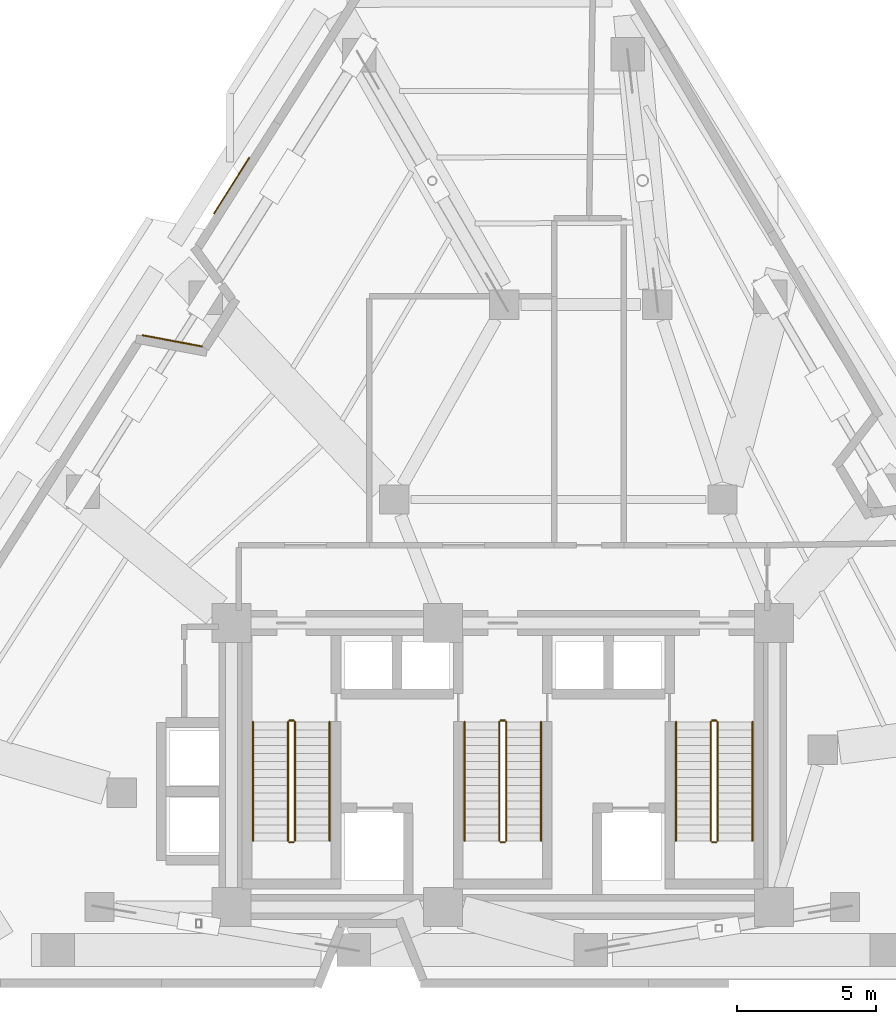
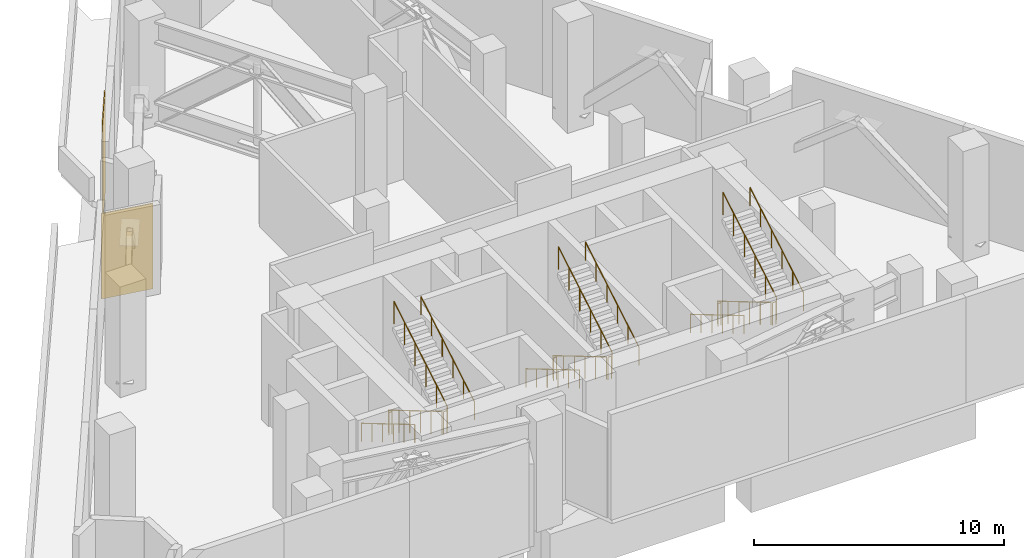
# One storey, part 9 of 9: 18 railings, 2 coverings.
"""IFC4 building model written with IfcOpenShell, lengths in metres."""

import ifcopenshell
import ifcopenshell.guid

model = None  # the IFC model being written
_history = None  # IfcOwnerHistory: only IFC2X3 demands one
_inside = {}  # id of a spatial element -> (the spatial element, [elements in it])
_under = {}  # id of a project, library or spatial element -> (it, [spatial elements below it])
_declared = {}  # id of a project -> (the project, [libraries it declares])
_typed = {}  # id of a type object -> (the type object, [elements of that type])
_made_of = {}  # id of a material, layer set ... -> (it, [elements and type objects made of it])


def new_model(schema):
    """Start an empty IFC model of exactly this schema.

    Asked for "IFC4X3", IfcOpenShell would pick the latest addendum, in which some entities
    have other attributes; the version numbers below select the first issue.
    IFC2X3 requires an IfcOwnerHistory on every rooted entity: one is made here for all.
    """
    global model, _history
    if schema == "IFC4X3":
        model = ifcopenshell.file(schema_version=(4, 3, 0, 0))
    else:
        model = ifcopenshell.file(schema=schema)
    _inside.clear()
    _under.clear()
    _declared.clear()
    _typed.clear()
    _made_of.clear()
    _history = None
    if model.schema == "IFC2X3":
        org = make("IfcOrganization", Name="unknown")
        user = make(
            "IfcPersonAndOrganization",
            ThePerson=make("IfcPerson", FamilyName="unknown"),
            TheOrganization=org,
        )
        app = make(
            "IfcApplication",
            ApplicationDeveloper=org,
            Version="unknown",
            ApplicationFullName="unknown",
            ApplicationIdentifier="unknown",
        )
        _history = make(
            "IfcOwnerHistory",
            OwningUser=user,
            OwningApplication=app,
            ChangeAction="ADDED",
            CreationDate=0,
        )
    return model


def make(cls, **values):
    """One entity of the class cls with the attributes given. An attribute that is None is left unset."""
    return model.create_entity(
        cls, **{name: value for name, value in values.items() if value is not None}
    )


def rooted(cls, **values):
    """An entity with a GlobalId (a new one), such as an element, a storey or a relation."""
    return make(cls, GlobalId=ifcopenshell.guid.new(), OwnerHistory=_history, **values)


def si_unit(unit_type, name, prefix=None):
    """IfcSIUnit, for example si_unit("LENGTHUNIT", "METRE", prefix="MILLI")."""
    return make("IfcSIUnit", UnitType=unit_type, Prefix=prefix, Name=name)


def assignment(units):
    """IfcUnitAssignment: the units of a project."""
    return None if units is None else make("IfcUnitAssignment", Units=units)


def point(xyz):
    """IfcCartesianPoint."""
    return None if xyz is None else make("IfcCartesianPoint", Coordinates=xyz)


def direction(xyz):
    """IfcDirection."""
    return None if xyz is None else make("IfcDirection", DirectionRatios=xyz)


def frame(location, z_axis=None, x_axis=None):
    """IfcAxis2Placement3D, a coordinate frame: its origin and axes. An axis left out is left unset."""
    return make(
        "IfcAxis2Placement3D",
        Location=point(location),
        Axis=direction(z_axis),
        RefDirection=direction(x_axis),
    )


def frame_2d(location, x_axis=None):
    """IfcAxis2Placement2D, a coordinate frame in the plane: its origin and x axis."""
    return make(
        "IfcAxis2Placement2D", Location=point(location), RefDirection=direction(x_axis)
    )


def origin():
    """The frame at (0, 0, 0) with its axes left unset."""
    return frame((0.0, 0.0, 0.0))


def origin_2d():
    """The frame at (0, 0) in the plane with its x axis left unset."""
    return frame_2d((0.0, 0.0))


def place(relative_to, where):
    """IfcLocalPlacement: puts the frame where relative to a parent placement (None: the world)."""
    return make(
        "IfcLocalPlacement", PlacementRelTo=relative_to, RelativePlacement=where
    )


def context(
    kind, dimensions, precision=None, world=None, true_north=None, identifier=None
):
    """IfcGeometricRepresentationContext, for example the 3D "Model" context."""
    return make(
        "IfcGeometricRepresentationContext",
        ContextIdentifier=identifier,
        ContextType=kind,
        CoordinateSpaceDimension=dimensions,
        Precision=precision,
        WorldCoordinateSystem=world,
        TrueNorth=true_north,
    )


def subcontext(parent, identifier, kind, view, scale=None):
    """IfcGeometricRepresentationSubContext, for example "Body" below "Model"."""
    return make(
        "IfcGeometricRepresentationSubContext",
        ContextIdentifier=identifier,
        ContextType=kind,
        ParentContext=parent,
        TargetScale=scale,
        TargetView=view,
    )


def project(units=None, contexts=None):
    """IfcProject with its units and contexts."""
    return rooted(
        "IfcProject",
        Name="project",
        RepresentationContexts=contexts,
        UnitsInContext=assignment(units),
    )


def spatial(cls, under=None, at=None, **own):
    """A site, building, storey or space (cls), placed at a placement, below another one or the project."""
    s = rooted(cls, ObjectPlacement=at, **own)
    if under is not None:
        _under.setdefault(under.id(), (under, []))[1].append(s)
    return s


def profile(cls, at=None, kind="AREA", **sizes):
    """A parametric profile (cls). Its sizes go by their IFC names, for example OverallWidth=200.0."""
    return make(cls, ProfileType=kind, Position=at, **sizes)


def rectangle(**sizes):
    """IfcRectangleProfileDef."""
    return profile("IfcRectangleProfileDef", **sizes)


def circle(**sizes):
    """IfcCircleProfileDef."""
    return profile("IfcCircleProfileDef", **sizes)


def extrude(swept, where, along, depth):
    """IfcExtrudedAreaSolid: the profile swept, set in the frame where, extruded along a direction by depth."""
    return make(
        "IfcExtrudedAreaSolid",
        SweptArea=swept,
        Position=where,
        ExtrudedDirection=direction(along),
        Depth=depth,
    )


def shape(context_of_items, identifier, shape_type, items):
    """IfcShapeRepresentation: the items that make up one representation, for example the "Body"."""
    return make(
        "IfcShapeRepresentation",
        ContextOfItems=context_of_items,
        RepresentationIdentifier=identifier,
        RepresentationType=shape_type,
        Items=items,
    )


def material(Name=None, Category=None):
    """IfcMaterial."""
    return make("IfcMaterial", Name=Name, Category=Category)


def layer(
    of_material, thickness, ventilated=None, Name=None, Category=None, Priority=None
):
    """IfcMaterialLayer: one layer of a wall or slab, of a material (None: an air gap)."""
    return make(
        "IfcMaterialLayer",
        Material=of_material,
        LayerThickness=thickness,
        IsVentilated=ventilated,
        Name=Name,
        Category=Category,
        Priority=Priority,
    )


def layer_set(layers, Name=None):
    """IfcMaterialLayerSet."""
    return make("IfcMaterialLayerSet", MaterialLayers=layers, LayerSetName=Name)


def made_of(thing, what):
    """Note that an element or type object is made of a material, layer set ...; save() writes the relation."""
    if what is not None:
        _made_of.setdefault(what.id(), (what, []))[1].append(thing)
    return thing


def type_object(cls, material=None, **own):
    """A type object (cls), such as IfcWallType, which elements share."""
    return made_of(rooted(cls, **own), material)


def element(
    cls,
    number,
    at=None,
    inside=None,
    cuts=None,
    type_object=None,
    material=None,
    context=None,
    identifier="Body",
    shape_type=None,
    held_by="IfcProductDefinitionShape",
    body=None,
    shapes=None,
    **own,
):
    """One element of the class cls, such as IfcWall. Its Tag is "e" and its number.

    at: its placement. inside: the storey or other place that contains it. cuts: it is an
    opening in that element (IfcRelVoidsElement). A single representation is given by context,
    identifier, shape_type and body (its items); several are given by shapes. held_by: the class
    of the entity that holds the representations. save() writes the other relations.
    """
    e = rooted(cls, Tag="e%d" % number, ObjectPlacement=at, **own)
    if body is not None:
        shapes = [shape(context, identifier, shape_type, body)]
    if shapes is not None:
        e.Representation = make(held_by, Representations=shapes)
    if inside is not None:
        _inside.setdefault(inside.id(), (inside, []))[1].append(e)
    if cuts is not None:
        rooted(
            "IfcRelVoidsElement", RelatingBuildingElement=cuts, RelatedOpeningElement=e
        )
    if type_object is not None:
        _typed.setdefault(type_object.id(), (type_object, []))[1].append(e)
    return made_of(e, material)


def aggregate(whole, parts):
    """IfcRelAggregates: a whole, such as a stair, and the parts it consists of."""
    return rooted("IfcRelAggregates", RelatingObject=whole, RelatedObjects=parts)


def save(model, path):
    """Write the relations noted so far, then the file.

    IfcRelAggregates (storeys below a building ...), IfcRelContainedInSpatialStructure (elements
    in a storey), IfcRelDefinesByType, IfcRelAssociatesMaterial and IfcRelDeclares: one each for
    every whole, place, type object, material and project.
    """
    for whole, parts in _under.values():
        aggregate(whole, parts)
    for where, things in _inside.values():
        rooted(
            "IfcRelContainedInSpatialStructure",
            RelatedElements=things,
            RelatingStructure=where,
        )
    for kind, things in _typed.values():
        rooted("IfcRelDefinesByType", RelatedObjects=things, RelatingType=kind)
    for what, things in _made_of.values():
        rooted("IfcRelAssociatesMaterial", RelatedObjects=things, RelatingMaterial=what)
    for by, libraries in _declared.values():
        rooted("IfcRelDeclares", RelatingContext=by, RelatedDefinitions=libraries)
    model.write(path)


model = new_model("IFC4")

# Units and contexts
model_context = context("Model", 3, precision=1e-05, world=origin(), true_north=direction((0.0, 1.0)))
body_context = subcontext(model_context, "Body", "Model", "MODEL_VIEW")
ifc_project = project(units=[si_unit("LENGTHUNIT", "METRE"), si_unit("AREAUNIT", "SQUARE_METRE"), si_unit("VOLUMEUNIT", "CUBIC_METRE"), si_unit("PLANEANGLEUNIT", "RADIAN"), si_unit("MASSUNIT", "GRAM", prefix="KILO")], contexts=[model_context])

# Site, building, storey
site_placement = place(None, origin())
site = spatial("IfcSite", under=ifc_project, at=site_placement, CompositionType="ELEMENT")
building_placement = place(site_placement, origin())
building = spatial("IfcBuilding", under=site, at=building_placement, Name="Almagre Mirador Tower", CompositionType="ELEMENT")
storey_placement = place(building_placement, frame((0.0, 0.0, 105.0)))
storey = spatial("IfcBuildingStorey", under=building, at=storey_placement, Name="L26", CompositionType="ELEMENT", Elevation=105.0)

# Coverings
ifc_material_1 = material(Name="Almagre terracotta architectural cladding", Category="masonry")
ifc_layer = layer(ifc_material_1, 0.044921875)
ifc_layer_set = layer_set([ifc_layer], Name="Almagre terracotta architectural cladding")
covering_type = type_object("IfcCoveringType", Name="COV-CLAD-ALMAGRE", PredefinedType="CLADDING", material=ifc_layer_set)
covering_1_placement = place(storey_placement, frame((25.41796875, 24.8974609375, 0.10009765625), z_axis=(0.0, 0.0, 1.0), x_axis=(0.982745405197, -0.184963424938, 0.0)))
element("IfcCovering", 1, at=covering_1_placement, inside=storey, type_object=covering_type, Name="L26 almagre terracotta pier cladding", PredefinedType="CLADDING", context=body_context, shape_type="SweptSolid", body=[
    extrude(rectangle(XDim=2.194091796875, YDim=0.044921875, at=origin_2d()), origin(), (0.0, 0.0, 1.0), 4.175048828125),
])
covering_2_placement = place(storey_placement, frame((27.549560546875, 30.4775390625, 0.10009765625), z_axis=(0.0, 0.0, 1.0), x_axis=(0.534912830704, 0.844907251447, 0.0)))
element("IfcCovering", 2, at=covering_2_placement, inside=storey, type_object=covering_type, Name="L26 almagre terracotta pier cladding", PredefinedType="CLADDING", context=body_context, shape_type="SweptSolid", body=[
    extrude(rectangle(XDim=2.39990234375, YDim=0.044921875, at=origin_2d()), origin(), (0.0, 0.0, 1.0), 4.949951171875),
])

# Railings
ifc_material_2 = material(Name="Painted galvanized steel", Category="steel")
railing_type_1 = type_object("IfcRailingType", Name="RLG-GRD-1100", PredefinedType="GUARDRAIL", material=ifc_material_2)
railing_1_placement = place(storey_placement, frame((29.574951171875, 11.199951171875, 0.168701171875)))
element("IfcRailing", 3, at=railing_1_placement, inside=storey, type_object=railing_type_1, Name="L26 ST-1 stair guard 1", PredefinedType="GUARDRAIL", context=body_context, shape_type="SweptSolid", body=[
    extrude(circle(Radius=0.02392578125, at=origin_2d()), frame((0.0, 0.0, 1.09619140625), z_axis=(0.0, -0.860470286479, 0.509500624227), x_axis=(1.0, 0.0, 0.0)), (0.0, 0.0, 1.0), 4.968017578125),
    extrude(circle(Radius=0.02099609375, at=origin_2d()), origin(), (0.0, 0.0, 1.0), 1.072021484375),
    extrude(circle(Radius=0.02099609375, at=origin_2d()), frame((0.0, -0.85498046875, 0.50634765625)), (0.0, 0.0, 1.0), 1.072021484375),
    extrude(circle(Radius=0.02099609375, at=origin_2d()), frame((0.0, -1.7099609375, 1.012451171875)), (0.0, 0.0, 1.0), 1.072021484375),
    extrude(circle(Radius=0.02099609375, at=origin_2d()), frame((0.0, -2.56494140625, 1.518798828125)), (0.0, 0.0, 1.0), 1.072021484375),
    extrude(circle(Radius=0.02099609375, at=origin_2d()), frame((0.0, -3.419921875, 2.02490234375)), (0.0, 0.0, 1.0), 1.072021484375),
    extrude(circle(Radius=0.02099609375, at=origin_2d()), frame((0.0, -4.27490234375, 2.53125)), (0.0, 0.0, 1.0), 1.072021484375),
])
railing_2_placement = place(storey_placement, frame((29.625, 6.875, 2.699951171875)))
element("IfcRailing", 4, at=railing_2_placement, inside=storey, type_object=railing_type_1, Name="L26 ST-1 stair guard 2", PredefinedType="GUARDRAIL", context=body_context, shape_type="SweptSolid", body=[
    extrude(circle(Radius=0.02392578125, at=origin_2d()), frame((0.0, 0.0, 1.09619140625), z_axis=(1.0, 0.0, 0.0), x_axis=(0.0, 1.0, 0.0)), (0.0, 0.0, 1.0), 0.14990234375),
    extrude(circle(Radius=0.02099609375, at=origin_2d()), origin(), (0.0, 0.0, 1.0), 1.072021484375),
    extrude(circle(Radius=0.02099609375, at=origin_2d()), frame((0.14990234375, 0.0, 0.0)), (0.0, 0.0, 1.0), 1.072021484375),
])
railing_3_placement = place(storey_placement, frame((29.824951171875, 6.925048828125, 2.86865234375)))
element("IfcRailing", 5, at=railing_3_placement, inside=storey, type_object=railing_type_1, Name="L26 ST-1 stair guard 3", PredefinedType="GUARDRAIL", context=body_context, shape_type="SweptSolid", body=[
    extrude(circle(Radius=0.02392578125, at=origin_2d()), frame((0.0, 0.0, 1.09619140625), z_axis=(0.0, 0.860470286479, 0.509500624227), x_axis=(-1.0, 0.0, 0.0)), (0.0, 0.0, 1.0), 4.968017578125),
    extrude(circle(Radius=0.02099609375, at=origin_2d()), origin(), (0.0, 0.0, 1.0), 1.072021484375),
    extrude(circle(Radius=0.02099609375, at=origin_2d()), frame((0.0, 0.85498046875, 0.50634765625)), (0.0, 0.0, 1.0), 1.072021484375),
    extrude(circle(Radius=0.02099609375, at=origin_2d()), frame((0.0, 1.7099609375, 1.012451171875)), (0.0, 0.0, 1.0), 1.072021484375),
    extrude(circle(Radius=0.02099609375, at=origin_2d()), frame((0.0, 2.56494140625, 1.518798828125)), (0.0, 0.0, 1.0), 1.072021484375),
    extrude(circle(Radius=0.02099609375, at=origin_2d()), frame((0.0, 3.419921875, 2.02490234375)), (0.0, 0.0, 1.0), 1.072021484375),
    extrude(circle(Radius=0.02099609375, at=origin_2d()), frame((0.0, 4.27490234375, 2.53125)), (0.0, 0.0, 1.0), 1.072021484375),
])
railing_4_placement = place(storey_placement, frame((29.625, 11.25, 0.0)))
element("IfcRailing", 6, at=railing_4_placement, inside=storey, type_object=railing_type_1, Name="L26 ST-1 stair guard 4", PredefinedType="GUARDRAIL", context=body_context, shape_type="SweptSolid", body=[
    extrude(circle(Radius=0.02392578125, at=origin_2d()), frame((0.0, 0.0, 1.09619140625), z_axis=(1.0, 0.0, 0.0), x_axis=(0.0, 1.0, 0.0)), (0.0, 0.0, 1.0), 0.14990234375),
    extrude(circle(Radius=0.02099609375, at=origin_2d()), origin(), (0.0, 0.0, 1.0), 1.072021484375),
    extrude(circle(Radius=0.02099609375, at=origin_2d()), frame((0.14990234375, 0.0, 0.0)), (0.0, 0.0, 1.0), 1.072021484375),
])
railing_5_placement = place(storey_placement, frame((37.175048828125, 11.199951171875, 0.168701171875)))
element("IfcRailing", 7, at=railing_5_placement, inside=storey, type_object=railing_type_1, Name="L26 ST-2 stair guard 1", PredefinedType="GUARDRAIL", context=body_context, shape_type="SweptSolid", body=[
    extrude(circle(Radius=0.02392578125, at=origin_2d()), frame((0.0, 0.0, 1.09619140625), z_axis=(0.0, -0.860470286479, 0.509500624227), x_axis=(1.0, 0.0, 0.0)), (0.0, 0.0, 1.0), 4.968017578125),
    extrude(circle(Radius=0.02099609375, at=origin_2d()), origin(), (0.0, 0.0, 1.0), 1.072021484375),
    extrude(circle(Radius=0.02099609375, at=origin_2d()), frame((0.0, -0.85498046875, 0.50634765625)), (0.0, 0.0, 1.0), 1.072021484375),
    extrude(circle(Radius=0.02099609375, at=origin_2d()), frame((0.0, -1.7099609375, 1.012451171875)), (0.0, 0.0, 1.0), 1.072021484375),
    extrude(circle(Radius=0.02099609375, at=origin_2d()), frame((0.0, -2.56494140625, 1.518798828125)), (0.0, 0.0, 1.0), 1.072021484375),
    extrude(circle(Radius=0.02099609375, at=origin_2d()), frame((0.0, -3.419921875, 2.02490234375)), (0.0, 0.0, 1.0), 1.072021484375),
    extrude(circle(Radius=0.02099609375, at=origin_2d()), frame((0.0, -4.27490234375, 2.53125)), (0.0, 0.0, 1.0), 1.072021484375),
])
railing_6_placement = place(storey_placement, frame((37.22509765625, 6.875, 2.699951171875)))
element("IfcRailing", 8, at=railing_6_placement, inside=storey, type_object=railing_type_1, Name="L26 ST-2 stair guard 2", PredefinedType="GUARDRAIL", context=body_context, shape_type="SweptSolid", body=[
    extrude(circle(Radius=0.02392578125, at=origin_2d()), frame((0.0, 0.0, 1.09619140625), z_axis=(1.0, 0.0, 0.0), x_axis=(0.0, 1.0, 0.0)), (0.0, 0.0, 1.0), 0.14990234375),
    extrude(circle(Radius=0.02099609375, at=origin_2d()), origin(), (0.0, 0.0, 1.0), 1.072021484375),
    extrude(circle(Radius=0.02099609375, at=origin_2d()), frame((0.14990234375, 0.0, 0.0)), (0.0, 0.0, 1.0), 1.072021484375),
])
railing_7_placement = place(storey_placement, frame((37.425048828125, 6.925048828125, 2.86865234375)))
element("IfcRailing", 9, at=railing_7_placement, inside=storey, type_object=railing_type_1, Name="L26 ST-2 stair guard 3", PredefinedType="GUARDRAIL", context=body_context, shape_type="SweptSolid", body=[
    extrude(circle(Radius=0.02392578125, at=origin_2d()), frame((0.0, 0.0, 1.09619140625), z_axis=(0.0, 0.860470286479, 0.509500624227), x_axis=(-1.0, 0.0, 0.0)), (0.0, 0.0, 1.0), 4.968017578125),
    extrude(circle(Radius=0.02099609375, at=origin_2d()), origin(), (0.0, 0.0, 1.0), 1.072021484375),
    extrude(circle(Radius=0.02099609375, at=origin_2d()), frame((0.0, 0.85498046875, 0.50634765625)), (0.0, 0.0, 1.0), 1.072021484375),
    extrude(circle(Radius=0.02099609375, at=origin_2d()), frame((0.0, 1.7099609375, 1.012451171875)), (0.0, 0.0, 1.0), 1.072021484375),
    extrude(circle(Radius=0.02099609375, at=origin_2d()), frame((0.0, 2.56494140625, 1.518798828125)), (0.0, 0.0, 1.0), 1.072021484375),
    extrude(circle(Radius=0.02099609375, at=origin_2d()), frame((0.0, 3.419921875, 2.02490234375)), (0.0, 0.0, 1.0), 1.072021484375),
    extrude(circle(Radius=0.02099609375, at=origin_2d()), frame((0.0, 4.27490234375, 2.53125)), (0.0, 0.0, 1.0), 1.072021484375),
])
railing_8_placement = place(storey_placement, frame((37.22509765625, 11.25, 0.0)))
element("IfcRailing", 10, at=railing_8_placement, inside=storey, type_object=railing_type_1, Name="L26 ST-2 stair guard 4", PredefinedType="GUARDRAIL", context=body_context, shape_type="SweptSolid", body=[
    extrude(circle(Radius=0.02392578125, at=origin_2d()), frame((0.0, 0.0, 1.09619140625), z_axis=(1.0, 0.0, 0.0), x_axis=(0.0, 1.0, 0.0)), (0.0, 0.0, 1.0), 0.14990234375),
    extrude(circle(Radius=0.02099609375, at=origin_2d()), origin(), (0.0, 0.0, 1.0), 1.072021484375),
    extrude(circle(Radius=0.02099609375, at=origin_2d()), frame((0.14990234375, 0.0, 0.0)), (0.0, 0.0, 1.0), 1.072021484375),
])
railing_9_placement = place(storey_placement, frame((44.77490234375, 11.199951171875, 0.168701171875)))
element("IfcRailing", 11, at=railing_9_placement, inside=storey, type_object=railing_type_1, Name="L26 ST-3 stair guard 1", PredefinedType="GUARDRAIL", context=body_context, shape_type="SweptSolid", body=[
    extrude(circle(Radius=0.02392578125, at=origin_2d()), frame((0.0, 0.0, 1.09619140625), z_axis=(0.0, -0.860470286479, 0.509500624227), x_axis=(1.0, 0.0, 0.0)), (0.0, 0.0, 1.0), 4.968017578125),
    extrude(circle(Radius=0.02099609375, at=origin_2d()), origin(), (0.0, 0.0, 1.0), 1.072021484375),
    extrude(circle(Radius=0.02099609375, at=origin_2d()), frame((0.0, -0.85498046875, 0.50634765625)), (0.0, 0.0, 1.0), 1.072021484375),
    extrude(circle(Radius=0.02099609375, at=origin_2d()), frame((0.0, -1.7099609375, 1.012451171875)), (0.0, 0.0, 1.0), 1.072021484375),
    extrude(circle(Radius=0.02099609375, at=origin_2d()), frame((0.0, -2.56494140625, 1.518798828125)), (0.0, 0.0, 1.0), 1.072021484375),
    extrude(circle(Radius=0.02099609375, at=origin_2d()), frame((0.0, -3.419921875, 2.02490234375)), (0.0, 0.0, 1.0), 1.072021484375),
    extrude(circle(Radius=0.02099609375, at=origin_2d()), frame((0.0, -4.27490234375, 2.53125)), (0.0, 0.0, 1.0), 1.072021484375),
])
railing_10_placement = place(storey_placement, frame((44.824951171875, 6.875, 2.699951171875)))
element("IfcRailing", 12, at=railing_10_placement, inside=storey, type_object=railing_type_1, Name="L26 ST-3 stair guard 2", PredefinedType="GUARDRAIL", context=body_context, shape_type="SweptSolid", body=[
    extrude(circle(Radius=0.02392578125, at=origin_2d()), frame((0.0, 0.0, 1.09619140625), z_axis=(1.0, 0.0, 0.0), x_axis=(0.0, 1.0, 0.0)), (0.0, 0.0, 1.0), 0.150146484375),
    extrude(circle(Radius=0.02099609375, at=origin_2d()), origin(), (0.0, 0.0, 1.0), 1.072021484375),
    extrude(circle(Radius=0.02099609375, at=origin_2d()), frame((0.150146484375, 0.0, 0.0)), (0.0, 0.0, 1.0), 1.072021484375),
])
railing_11_placement = place(storey_placement, frame((45.02490234375, 6.925048828125, 2.86865234375)))
element("IfcRailing", 13, at=railing_11_placement, inside=storey, type_object=railing_type_1, Name="L26 ST-3 stair guard 3", PredefinedType="GUARDRAIL", context=body_context, shape_type="SweptSolid", body=[
    extrude(circle(Radius=0.02392578125, at=origin_2d()), frame((0.0, 0.0, 1.09619140625), z_axis=(0.0, 0.860470286479, 0.509500624227), x_axis=(-1.0, 0.0, 0.0)), (0.0, 0.0, 1.0), 4.968017578125),
    extrude(circle(Radius=0.02099609375, at=origin_2d()), origin(), (0.0, 0.0, 1.0), 1.072021484375),
    extrude(circle(Radius=0.02099609375, at=origin_2d()), frame((0.0, 0.85498046875, 0.50634765625)), (0.0, 0.0, 1.0), 1.072021484375),
    extrude(circle(Radius=0.02099609375, at=origin_2d()), frame((0.0, 1.7099609375, 1.012451171875)), (0.0, 0.0, 1.0), 1.072021484375),
    extrude(circle(Radius=0.02099609375, at=origin_2d()), frame((0.0, 2.56494140625, 1.518798828125)), (0.0, 0.0, 1.0), 1.072021484375),
    extrude(circle(Radius=0.02099609375, at=origin_2d()), frame((0.0, 3.419921875, 2.02490234375)), (0.0, 0.0, 1.0), 1.072021484375),
    extrude(circle(Radius=0.02099609375, at=origin_2d()), frame((0.0, 4.27490234375, 2.53125)), (0.0, 0.0, 1.0), 1.072021484375),
])
railing_12_placement = place(storey_placement, frame((44.824951171875, 11.25, 0.0)))
element("IfcRailing", 14, at=railing_12_placement, inside=storey, type_object=railing_type_1, Name="L26 ST-3 stair guard 4", PredefinedType="GUARDRAIL", context=body_context, shape_type="SweptSolid", body=[
    extrude(circle(Radius=0.02392578125, at=origin_2d()), frame((0.0, 0.0, 1.09619140625), z_axis=(1.0, 0.0, 0.0), x_axis=(0.0, 1.0, 0.0)), (0.0, 0.0, 1.0), 0.150146484375),
    extrude(circle(Radius=0.02099609375, at=origin_2d()), origin(), (0.0, 0.0, 1.0), 1.072021484375),
    extrude(circle(Radius=0.02099609375, at=origin_2d()), frame((0.150146484375, 0.0, 0.0)), (0.0, 0.0, 1.0), 1.072021484375),
])
ifc_material_3 = material(Name="Brushed stainless steel", Category="steel")
railing_type_2 = type_object("IfcRailingType", Name="RLG-HND-915", PredefinedType="HANDRAIL", material=ifc_material_3)
railing_13_placement = place(storey_placement, frame((28.324951171875, 11.199951171875, 0.168701171875)))
element("IfcRailing", 15, at=railing_13_placement, inside=storey, type_object=railing_type_2, Name="L26 ST-1 stair handrail 1", PredefinedType="HANDRAIL", context=body_context, shape_type="SweptSolid", body=[
    extrude(circle(Radius=0.02392578125, at=origin_2d()), frame((0.0, 0.0, 0.89111328125), z_axis=(0.0, -0.860470286479, 0.509500624227), x_axis=(1.0, 0.0, 0.0)), (0.0, 0.0, 1.0), 4.968017578125),
    extrude(circle(Radius=0.02099609375, at=origin_2d()), origin(), (0.0, 0.0, 1.0), 0.866943359375),
    extrude(circle(Radius=0.02099609375, at=origin_2d()), frame((0.0, -0.85498046875, 0.50634765625)), (0.0, 0.0, 1.0), 0.866943359375),
    extrude(circle(Radius=0.02099609375, at=origin_2d()), frame((0.0, -1.7099609375, 1.012451171875)), (0.0, 0.0, 1.0), 0.866943359375),
    extrude(circle(Radius=0.02099609375, at=origin_2d()), frame((0.0, -2.56494140625, 1.518798828125)), (0.0, 0.0, 1.0), 0.866943359375),
    extrude(circle(Radius=0.02099609375, at=origin_2d()), frame((0.0, -3.419921875, 2.02490234375)), (0.0, 0.0, 1.0), 0.866943359375),
    extrude(circle(Radius=0.02099609375, at=origin_2d()), frame((0.0, -4.27490234375, 2.53125)), (0.0, 0.0, 1.0), 0.866943359375),
])
railing_14_placement = place(storey_placement, frame((31.074951171875, 6.925048828125, 2.86865234375)))
element("IfcRailing", 16, at=railing_14_placement, inside=storey, type_object=railing_type_2, Name="L26 ST-1 stair handrail 2", PredefinedType="HANDRAIL", context=body_context, shape_type="SweptSolid", body=[
    extrude(circle(Radius=0.02392578125, at=origin_2d()), frame((0.0, 0.0, 0.89111328125), z_axis=(0.0, 0.860470286479, 0.509500624227), x_axis=(-1.0, 0.0, 0.0)), (0.0, 0.0, 1.0), 4.968017578125),
    extrude(circle(Radius=0.02099609375, at=origin_2d()), origin(), (0.0, 0.0, 1.0), 0.866943359375),
    extrude(circle(Radius=0.02099609375, at=origin_2d()), frame((0.0, 0.85498046875, 0.50634765625)), (0.0, 0.0, 1.0), 0.866943359375),
    extrude(circle(Radius=0.02099609375, at=origin_2d()), frame((0.0, 1.7099609375, 1.012451171875)), (0.0, 0.0, 1.0), 0.866943359375),
    extrude(circle(Radius=0.02099609375, at=origin_2d()), frame((0.0, 2.56494140625, 1.518798828125)), (0.0, 0.0, 1.0), 0.866943359375),
    extrude(circle(Radius=0.02099609375, at=origin_2d()), frame((0.0, 3.419921875, 2.02490234375)), (0.0, 0.0, 1.0), 0.866943359375),
    extrude(circle(Radius=0.02099609375, at=origin_2d()), frame((0.0, 4.27490234375, 2.53125)), (0.0, 0.0, 1.0), 0.866943359375),
])
railing_15_placement = place(storey_placement, frame((35.925048828125, 11.199951171875, 0.168701171875)))
element("IfcRailing", 17, at=railing_15_placement, inside=storey, type_object=railing_type_2, Name="L26 ST-2 stair handrail 1", PredefinedType="HANDRAIL", context=body_context, shape_type="SweptSolid", body=[
    extrude(circle(Radius=0.02392578125, at=origin_2d()), frame((0.0, 0.0, 0.89111328125), z_axis=(0.0, -0.860470286479, 0.509500624227), x_axis=(1.0, 0.0, 0.0)), (0.0, 0.0, 1.0), 4.968017578125),
    extrude(circle(Radius=0.02099609375, at=origin_2d()), origin(), (0.0, 0.0, 1.0), 0.866943359375),
    extrude(circle(Radius=0.02099609375, at=origin_2d()), frame((0.0, -0.85498046875, 0.50634765625)), (0.0, 0.0, 1.0), 0.866943359375),
    extrude(circle(Radius=0.02099609375, at=origin_2d()), frame((0.0, -1.7099609375, 1.012451171875)), (0.0, 0.0, 1.0), 0.866943359375),
    extrude(circle(Radius=0.02099609375, at=origin_2d()), frame((0.0, -2.56494140625, 1.518798828125)), (0.0, 0.0, 1.0), 0.866943359375),
    extrude(circle(Radius=0.02099609375, at=origin_2d()), frame((0.0, -3.419921875, 2.02490234375)), (0.0, 0.0, 1.0), 0.866943359375),
    extrude(circle(Radius=0.02099609375, at=origin_2d()), frame((0.0, -4.27490234375, 2.53125)), (0.0, 0.0, 1.0), 0.866943359375),
])
railing_16_placement = place(storey_placement, frame((38.675048828125, 6.925048828125, 2.86865234375)))
element("IfcRailing", 18, at=railing_16_placement, inside=storey, type_object=railing_type_2, Name="L26 ST-2 stair handrail 2", PredefinedType="HANDRAIL", context=body_context, shape_type="SweptSolid", body=[
    extrude(circle(Radius=0.02392578125, at=origin_2d()), frame((0.0, 0.0, 0.89111328125), z_axis=(0.0, 0.860470286479, 0.509500624227), x_axis=(-1.0, 0.0, 0.0)), (0.0, 0.0, 1.0), 4.968017578125),
    extrude(circle(Radius=0.02099609375, at=origin_2d()), origin(), (0.0, 0.0, 1.0), 0.866943359375),
    extrude(circle(Radius=0.02099609375, at=origin_2d()), frame((0.0, 0.85498046875, 0.50634765625)), (0.0, 0.0, 1.0), 0.866943359375),
    extrude(circle(Radius=0.02099609375, at=origin_2d()), frame((0.0, 1.7099609375, 1.012451171875)), (0.0, 0.0, 1.0), 0.866943359375),
    extrude(circle(Radius=0.02099609375, at=origin_2d()), frame((0.0, 2.56494140625, 1.518798828125)), (0.0, 0.0, 1.0), 0.866943359375),
    extrude(circle(Radius=0.02099609375, at=origin_2d()), frame((0.0, 3.419921875, 2.02490234375)), (0.0, 0.0, 1.0), 0.866943359375),
    extrude(circle(Radius=0.02099609375, at=origin_2d()), frame((0.0, 4.27490234375, 2.53125)), (0.0, 0.0, 1.0), 0.866943359375),
])
railing_17_placement = place(storey_placement, frame((43.52490234375, 11.199951171875, 0.168701171875)))
element("IfcRailing", 19, at=railing_17_placement, inside=storey, type_object=railing_type_2, Name="L26 ST-3 stair handrail 1", PredefinedType="HANDRAIL", context=body_context, shape_type="SweptSolid", body=[
    extrude(circle(Radius=0.02392578125, at=origin_2d()), frame((0.0, 0.0, 0.89111328125), z_axis=(0.0, -0.860470286479, 0.509500624227), x_axis=(1.0, 0.0, 0.0)), (0.0, 0.0, 1.0), 4.968017578125),
    extrude(circle(Radius=0.02099609375, at=origin_2d()), origin(), (0.0, 0.0, 1.0), 0.866943359375),
    extrude(circle(Radius=0.02099609375, at=origin_2d()), frame((0.0, -0.85498046875, 0.50634765625)), (0.0, 0.0, 1.0), 0.866943359375),
    extrude(circle(Radius=0.02099609375, at=origin_2d()), frame((0.0, -1.7099609375, 1.012451171875)), (0.0, 0.0, 1.0), 0.866943359375),
    extrude(circle(Radius=0.02099609375, at=origin_2d()), frame((0.0, -2.56494140625, 1.518798828125)), (0.0, 0.0, 1.0), 0.866943359375),
    extrude(circle(Radius=0.02099609375, at=origin_2d()), frame((0.0, -3.419921875, 2.02490234375)), (0.0, 0.0, 1.0), 0.866943359375),
    extrude(circle(Radius=0.02099609375, at=origin_2d()), frame((0.0, -4.27490234375, 2.53125)), (0.0, 0.0, 1.0), 0.866943359375),
])
railing_18_placement = place(storey_placement, frame((46.27490234375, 6.925048828125, 2.86865234375)))
element("IfcRailing", 20, at=railing_18_placement, inside=storey, type_object=railing_type_2, Name="L26 ST-3 stair handrail 2", PredefinedType="HANDRAIL", context=body_context, shape_type="SweptSolid", body=[
    extrude(circle(Radius=0.02392578125, at=origin_2d()), frame((0.0, 0.0, 0.89111328125), z_axis=(0.0, 0.860470286479, 0.509500624227), x_axis=(-1.0, 0.0, 0.0)), (0.0, 0.0, 1.0), 4.968017578125),
    extrude(circle(Radius=0.02099609375, at=origin_2d()), origin(), (0.0, 0.0, 1.0), 0.866943359375),
    extrude(circle(Radius=0.02099609375, at=origin_2d()), frame((0.0, 0.85498046875, 0.50634765625)), (0.0, 0.0, 1.0), 0.866943359375),
    extrude(circle(Radius=0.02099609375, at=origin_2d()), frame((0.0, 1.7099609375, 1.012451171875)), (0.0, 0.0, 1.0), 0.866943359375),
    extrude(circle(Radius=0.02099609375, at=origin_2d()), frame((0.0, 2.56494140625, 1.518798828125)), (0.0, 0.0, 1.0), 0.866943359375),
    extrude(circle(Radius=0.02099609375, at=origin_2d()), frame((0.0, 3.419921875, 2.02490234375)), (0.0, 0.0, 1.0), 0.866943359375),
    extrude(circle(Radius=0.02099609375, at=origin_2d()), frame((0.0, 4.27490234375, 2.53125)), (0.0, 0.0, 1.0), 0.866943359375),
])

save(model, "model.ifc")
